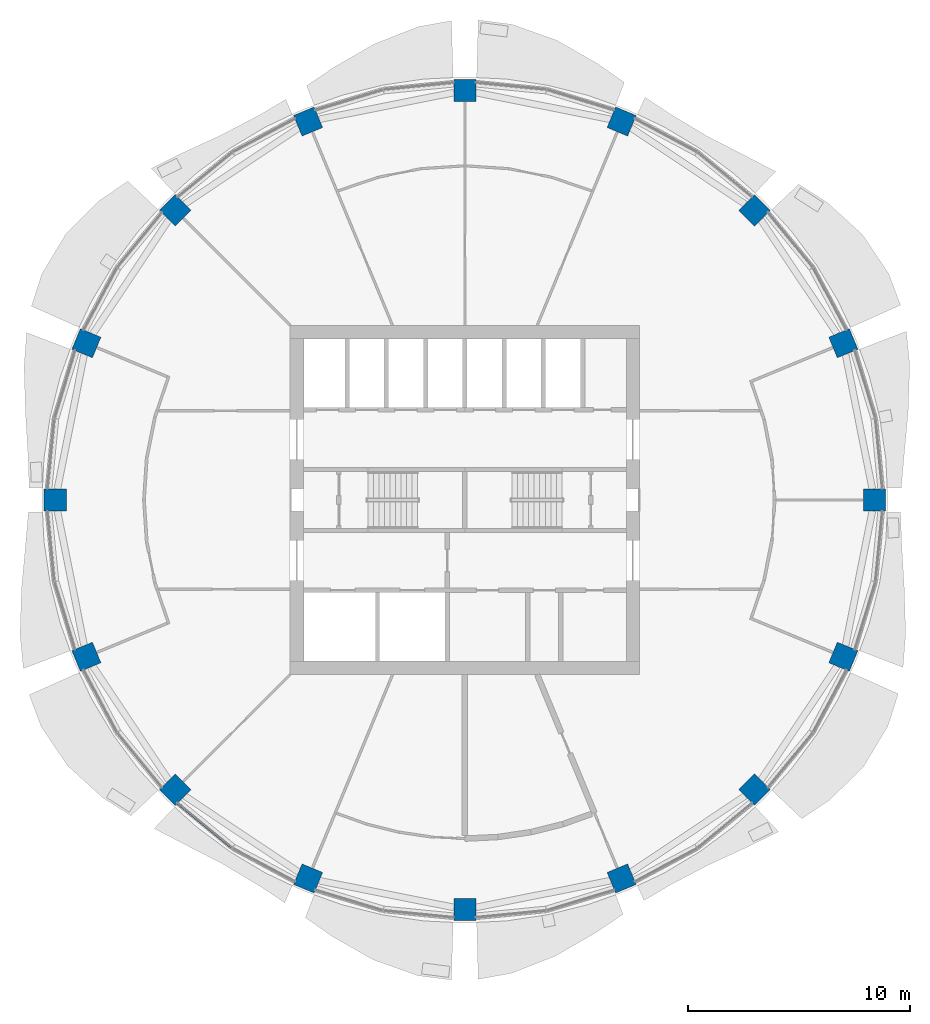
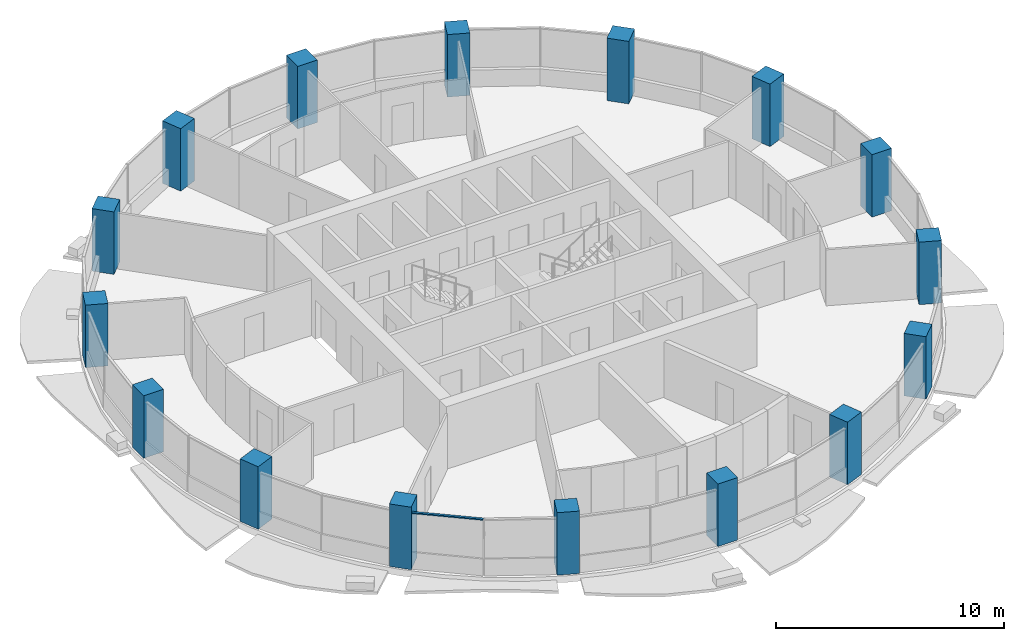
# One storey, part 1 of 15: 16 columns, 1 member, 1 element without a shape of its own.
"""IFC4 building model written with IfcOpenShell, lengths in metres."""

import ifcopenshell
import ifcopenshell.guid

model = None  # the IFC model being written
_history = None  # IfcOwnerHistory: only IFC2X3 demands one
_inside = {}  # id of a spatial element -> (the spatial element, [elements in it])
_under = {}  # id of a project, library or spatial element -> (it, [spatial elements below it])
_declared = {}  # id of a project -> (the project, [libraries it declares])
_typed = {}  # id of a type object -> (the type object, [elements of that type])
_made_of = {}  # id of a material, layer set ... -> (it, [elements and type objects made of it])


def new_model(schema):
    """Start an empty IFC model of exactly this schema.

    Asked for "IFC4X3", IfcOpenShell would pick the latest addendum, in which some entities
    have other attributes; the version numbers below select the first issue.
    IFC2X3 requires an IfcOwnerHistory on every rooted entity: one is made here for all.
    """
    global model, _history
    if schema == "IFC4X3":
        model = ifcopenshell.file(schema_version=(4, 3, 0, 0))
    else:
        model = ifcopenshell.file(schema=schema)
    _inside.clear()
    _under.clear()
    _declared.clear()
    _typed.clear()
    _made_of.clear()
    _history = None
    if model.schema == "IFC2X3":
        org = make("IfcOrganization", Name="unknown")
        user = make(
            "IfcPersonAndOrganization",
            ThePerson=make("IfcPerson", FamilyName="unknown"),
            TheOrganization=org,
        )
        app = make(
            "IfcApplication",
            ApplicationDeveloper=org,
            Version="unknown",
            ApplicationFullName="unknown",
            ApplicationIdentifier="unknown",
        )
        _history = make(
            "IfcOwnerHistory",
            OwningUser=user,
            OwningApplication=app,
            ChangeAction="ADDED",
            CreationDate=0,
        )
    return model


def make(cls, **values):
    """One entity of the class cls with the attributes given. An attribute that is None is left unset."""
    return model.create_entity(
        cls, **{name: value for name, value in values.items() if value is not None}
    )


def rooted(cls, **values):
    """An entity with a GlobalId (a new one), such as an element, a storey or a relation."""
    return make(cls, GlobalId=ifcopenshell.guid.new(), OwnerHistory=_history, **values)


def si_unit(unit_type, name, prefix=None):
    """IfcSIUnit, for example si_unit("LENGTHUNIT", "METRE", prefix="MILLI")."""
    return make("IfcSIUnit", UnitType=unit_type, Prefix=prefix, Name=name)


def assignment(units):
    """IfcUnitAssignment: the units of a project."""
    return None if units is None else make("IfcUnitAssignment", Units=units)


def point(xyz):
    """IfcCartesianPoint."""
    return None if xyz is None else make("IfcCartesianPoint", Coordinates=xyz)


def direction(xyz):
    """IfcDirection."""
    return None if xyz is None else make("IfcDirection", DirectionRatios=xyz)


def frame(location, z_axis=None, x_axis=None):
    """IfcAxis2Placement3D, a coordinate frame: its origin and axes. An axis left out is left unset."""
    return make(
        "IfcAxis2Placement3D",
        Location=point(location),
        Axis=direction(z_axis),
        RefDirection=direction(x_axis),
    )


def frame_2d(location, x_axis=None):
    """IfcAxis2Placement2D, a coordinate frame in the plane: its origin and x axis."""
    return make(
        "IfcAxis2Placement2D", Location=point(location), RefDirection=direction(x_axis)
    )


def origin():
    """The frame at (0, 0, 0) with its axes left unset."""
    return frame((0.0, 0.0, 0.0))


def origin_2d():
    """The frame at (0, 0) in the plane with its x axis left unset."""
    return frame_2d((0.0, 0.0))


def place(relative_to, where):
    """IfcLocalPlacement: puts the frame where relative to a parent placement (None: the world)."""
    return make(
        "IfcLocalPlacement", PlacementRelTo=relative_to, RelativePlacement=where
    )


def context(
    kind, dimensions, precision=None, world=None, true_north=None, identifier=None
):
    """IfcGeometricRepresentationContext, for example the 3D "Model" context."""
    return make(
        "IfcGeometricRepresentationContext",
        ContextIdentifier=identifier,
        ContextType=kind,
        CoordinateSpaceDimension=dimensions,
        Precision=precision,
        WorldCoordinateSystem=world,
        TrueNorth=true_north,
    )


def subcontext(parent, identifier, kind, view, scale=None):
    """IfcGeometricRepresentationSubContext, for example "Body" below "Model"."""
    return make(
        "IfcGeometricRepresentationSubContext",
        ContextIdentifier=identifier,
        ContextType=kind,
        ParentContext=parent,
        TargetScale=scale,
        TargetView=view,
    )


def project(units=None, contexts=None):
    """IfcProject with its units and contexts."""
    return rooted(
        "IfcProject",
        Name="project",
        RepresentationContexts=contexts,
        UnitsInContext=assignment(units),
    )


def spatial(cls, under=None, at=None, **own):
    """A site, building, storey or space (cls), placed at a placement, below another one or the project."""
    s = rooted(cls, ObjectPlacement=at, **own)
    if under is not None:
        _under.setdefault(under.id(), (under, []))[1].append(s)
    return s


def profile(cls, at=None, kind="AREA", **sizes):
    """A parametric profile (cls). Its sizes go by their IFC names, for example OverallWidth=200.0."""
    return make(cls, ProfileType=kind, Position=at, **sizes)


def rectangle(**sizes):
    """IfcRectangleProfileDef."""
    return profile("IfcRectangleProfileDef", **sizes)


def extrude(swept, where, along, depth):
    """IfcExtrudedAreaSolid: the profile swept, set in the frame where, extruded along a direction by depth."""
    return make(
        "IfcExtrudedAreaSolid",
        SweptArea=swept,
        Position=where,
        ExtrudedDirection=direction(along),
        Depth=depth,
    )


def shape(context_of_items, identifier, shape_type, items):
    """IfcShapeRepresentation: the items that make up one representation, for example the "Body"."""
    return make(
        "IfcShapeRepresentation",
        ContextOfItems=context_of_items,
        RepresentationIdentifier=identifier,
        RepresentationType=shape_type,
        Items=items,
    )


def material(Name=None, Category=None):
    """IfcMaterial."""
    return make("IfcMaterial", Name=Name, Category=Category)


def material_profile(
    of_material, cross_section, Name=None, Category=None, Priority=None
):
    """IfcMaterialProfile: a cross section and its material."""
    return make(
        "IfcMaterialProfile",
        Name=Name,
        Material=of_material,
        Profile=cross_section,
        Priority=Priority,
        Category=Category,
    )


def profile_set(profiles, Name=None, composite=None):
    """IfcMaterialProfileSet."""
    return make(
        "IfcMaterialProfileSet",
        Name=Name,
        MaterialProfiles=profiles,
        CompositeProfile=composite,
    )


def made_of(thing, what):
    """Note that an element or type object is made of a material, layer set ...; save() writes the relation."""
    if what is not None:
        _made_of.setdefault(what.id(), (what, []))[1].append(thing)
    return thing


def type_object(cls, material=None, **own):
    """A type object (cls), such as IfcWallType, which elements share."""
    return made_of(rooted(cls, **own), material)


def element(
    cls,
    number,
    at=None,
    inside=None,
    cuts=None,
    type_object=None,
    material=None,
    context=None,
    identifier="Body",
    shape_type=None,
    held_by="IfcProductDefinitionShape",
    body=None,
    shapes=None,
    **own,
):
    """One element of the class cls, such as IfcWall. Its Tag is "e" and its number.

    at: its placement. inside: the storey or other place that contains it. cuts: it is an
    opening in that element (IfcRelVoidsElement). A single representation is given by context,
    identifier, shape_type and body (its items); several are given by shapes. held_by: the class
    of the entity that holds the representations. save() writes the other relations.
    """
    e = rooted(cls, Tag="e%d" % number, ObjectPlacement=at, **own)
    if body is not None:
        shapes = [shape(context, identifier, shape_type, body)]
    if shapes is not None:
        e.Representation = make(held_by, Representations=shapes)
    if inside is not None:
        _inside.setdefault(inside.id(), (inside, []))[1].append(e)
    if cuts is not None:
        rooted(
            "IfcRelVoidsElement", RelatingBuildingElement=cuts, RelatedOpeningElement=e
        )
    if type_object is not None:
        _typed.setdefault(type_object.id(), (type_object, []))[1].append(e)
    return made_of(e, material)


def aggregate(whole, parts):
    """IfcRelAggregates: a whole, such as a stair, and the parts it consists of."""
    return rooted("IfcRelAggregates", RelatingObject=whole, RelatedObjects=parts)


def save(model, path):
    """Write the relations noted so far, then the file.

    IfcRelAggregates (storeys below a building ...), IfcRelContainedInSpatialStructure (elements
    in a storey), IfcRelDefinesByType, IfcRelAssociatesMaterial and IfcRelDeclares: one each for
    every whole, place, type object, material and project.
    """
    for whole, parts in _under.values():
        aggregate(whole, parts)
    for where, things in _inside.values():
        rooted(
            "IfcRelContainedInSpatialStructure",
            RelatedElements=things,
            RelatingStructure=where,
        )
    for kind, things in _typed.values():
        rooted("IfcRelDefinesByType", RelatedObjects=things, RelatingType=kind)
    for what, things in _made_of.values():
        rooted("IfcRelAssociatesMaterial", RelatedObjects=things, RelatingMaterial=what)
    for by, libraries in _declared.values():
        rooted("IfcRelDeclares", RelatingContext=by, RelatedDefinitions=libraries)
    model.write(path)


model = new_model("IFC4")

# Units and contexts
model_context = context("Model", 3, precision=1e-05, world=origin(), true_north=direction((0.0, 1.0)))
body_context = subcontext(model_context, "Body", "Model", "MODEL_VIEW")
ifc_project = project(units=[si_unit("LENGTHUNIT", "METRE"), si_unit("AREAUNIT", "SQUARE_METRE"), si_unit("VOLUMEUNIT", "CUBIC_METRE"), si_unit("PLANEANGLEUNIT", "RADIAN"), si_unit("MASSUNIT", "GRAM", prefix="KILO")], contexts=[model_context])

# Site, building, storey
site_placement = place(None, origin())
site = spatial("IfcSite", under=ifc_project, at=site_placement, CompositionType="ELEMENT")
building_placement = place(site_placement, origin())
building = spatial("IfcBuilding", under=site, at=building_placement, Name="Polderwave Tower", CompositionType="ELEMENT")
storey_placement = place(building_placement, frame((0.0, 0.0, 120.949951171875)))
storey = spatial("IfcBuildingStorey", under=building, at=storey_placement, Name="L31", CompositionType="ELEMENT", Elevation=120.949951171875)

# Columns
ifc_material_1 = material(Name="Concrete C60/75", Category="concrete")
ifc_material_profile_1 = material_profile(ifc_material_1, rectangle(XDim=1.0, YDim=1.0, at=origin_2d()), Name="RC 1000x1000")
ifc_profile_set_1 = profile_set([ifc_material_profile_1], Name="Concrete C60/75")
column_type = type_object("IfcColumnType", Name="RC COLUMN 1000x1000 C60/75", PredefinedType="COLUMN", material=ifc_profile_set_1)
for number, where, z_axis, x_axis, name in (
    (1, (18.4599609375, 0.0, 0.0), (0.0, 0.0, 1.0), (1.0, 0.0, 0.0), "Ring column 01"),
    (2, (17.054931640625, 7.064453125, 0.0), (0.0, 0.0, 1.0), (0.923879532511, 0.382683432365, 0.0), "Ring column 02"),
    (3, (13.05322265625, 13.05322265625, 0.0), (0.0, 0.0, 1.0), (0.707106781187, 0.707106781187, 0.0), "Ring column 03"),
    (4, (7.064453125, 17.054931640625, 0.0), (0.0, 0.0, 1.0), (0.382683432365, 0.923879532511, 0.0), "Ring column 04"),
    (5, (0.0, 18.4599609375, 0.0), (0.0, 0.0, 1.0), (0.0, 1.0, 0.0), "Ring column 05"),
    (6, (-7.064453125, 17.054931640625, 0.0), (0.0, 0.0, 1.0), (-0.382683432365, 0.923879532511, 0.0), "Ring column 06"),
    (7, (-13.05322265625, 13.05322265625, 0.0), (0.0, 0.0, 1.0), (-0.707106781187, 0.707106781187, 0.0), "Ring column 07"),
    (8, (-17.054931640625, 7.064453125, 0.0), (0.0, 0.0, 1.0), (-0.923879532511, 0.382683432365, 0.0), "Ring column 08"),
    (9, (-18.4599609375, 0.0, 0.0), (0.0, 0.0, 1.0), (-1.0, 0.0, 0.0), "Ring column 09"),
    (10, (-17.054931640625, -7.064453125, 0.0), (0.0, 0.0, 1.0), (-0.923879532511, -0.382683432365, 0.0), "Ring column 10"),
    (11, (-13.05322265625, -13.05322265625, 0.0), (0.0, 0.0, 1.0), (-0.707106781187, -0.707106781187, 0.0), "Ring column 11"),
    (12, (-7.064453125, -17.054931640625, 0.0), (0.0, 0.0, 1.0), (-0.382683432365, -0.923879532511, 0.0), "Ring column 12"),
    (13, (0.0, -18.4599609375, 0.0), (0.0, 0.0, 1.0), (0.0, -1.0, 0.0), "Ring column 13"),
    (14, (7.064453125, -17.054931640625, 0.0), (0.0, 0.0, 1.0), (0.382683432365, -0.923879532511, 0.0), "Ring column 14"),
    (15, (13.05322265625, -13.05322265625, 0.0), (0.0, 0.0, 1.0), (0.707106781187, -0.707106781187, 0.0), "Ring column 15"),
    (16, (17.054931640625, -7.064453125, 0.0), (0.0, 0.0, 1.0), (0.923879532511, -0.382683432365, 0.0), "Ring column 16"),
):
    element("IfcColumn", number, at=place(storey_placement, frame(where, z_axis=z_axis, x_axis=x_axis)), inside=storey, type_object=column_type, Name=name, PredefinedType="COLUMN", context=body_context, shape_type="SweptSolid", body=[
        extrude(rectangle(XDim=1.0, YDim=1.0, at=origin_2d()), origin(), (0.0, 0.0, 1.0), 3.35009765625),
    ])

# Curtain wall, member
ifc_material_2 = material(Name="Aluminium 6063-T6 and glass", Category="aluminium")
curtain_wall_type = type_object("IfcCurtainWallType", Name="Office ribbon glazing wall", PredefinedType="NOTDEFINED", material=ifc_material_2)
curtain_wall_placement = place(storey_placement, origin())
curtain_wall = element("IfcCurtainWall", 17, at=curtain_wall_placement, inside=storey, type_object=curtain_wall_type, Name="CW3 L31 10", PredefinedType="NOTDEFINED")
ifc_material_3 = material(Name="Aluminium 6063-T6", Category="aluminium")
ifc_material_profile_2 = material_profile(ifc_material_3, rectangle(XDim=0.1201171875, YDim=0.06005859375, at=origin_2d()), Name="AL 60x120")
ifc_profile_set_2 = profile_set([ifc_material_profile_2], Name="Aluminium 6063-T6")
member_type = type_object("IfcMemberType", Name="Office ribbon glazing transom 60x120", PredefinedType="USERDEFINED", material=ifc_profile_set_2)
member_placement = place(storey_placement, frame((-12.947998046875, -13.655029296875, 2.969970703125), z_axis=(0.773025883871, -0.634374481569, 0.0), x_axis=(0.634374481569, 0.773025883871, 0.0)))
member = element("IfcMember", 18, at=member_placement, type_object=member_type, Name="CW3 transom 1", ObjectType="TRANSOM", PredefinedType="USERDEFINED", context=body_context, shape_type="SweptSolid", body=[
    extrude(rectangle(XDim=0.1201171875, YDim=0.06005859375, at=origin_2d()), origin(), (0.0, 0.0, 1.0), 3.167724609375),
])
aggregate(curtain_wall, [member])

save(model, "model.ifc")
